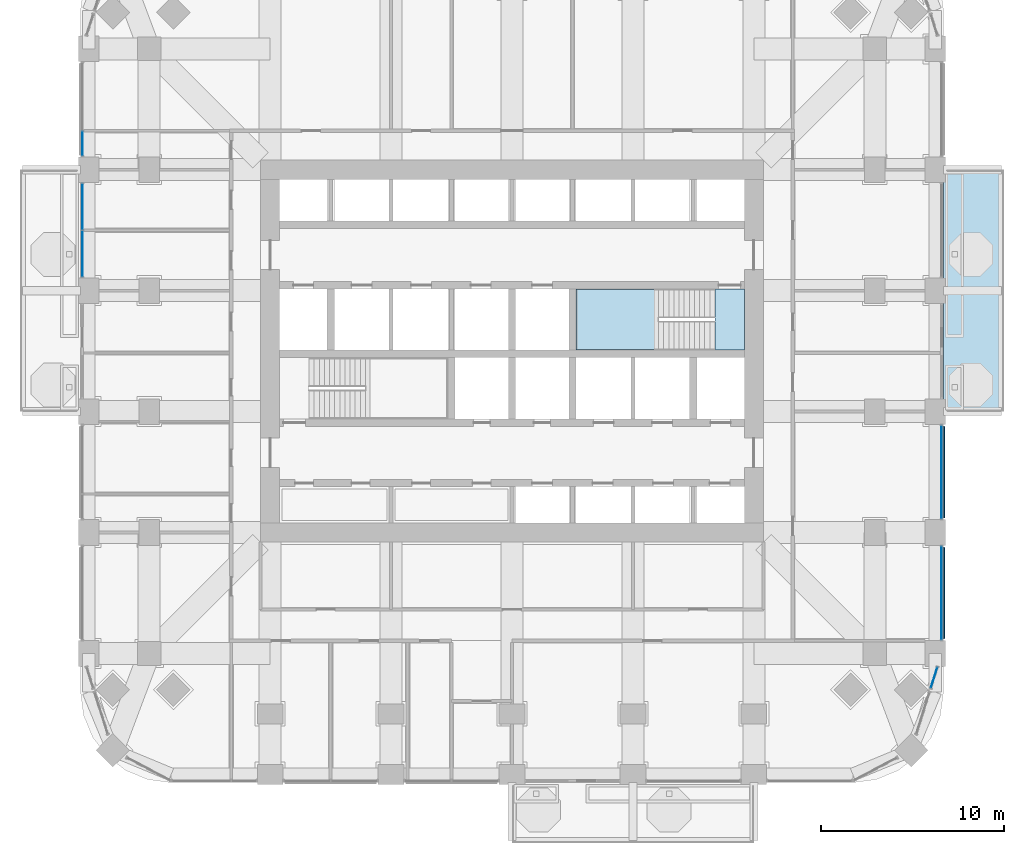
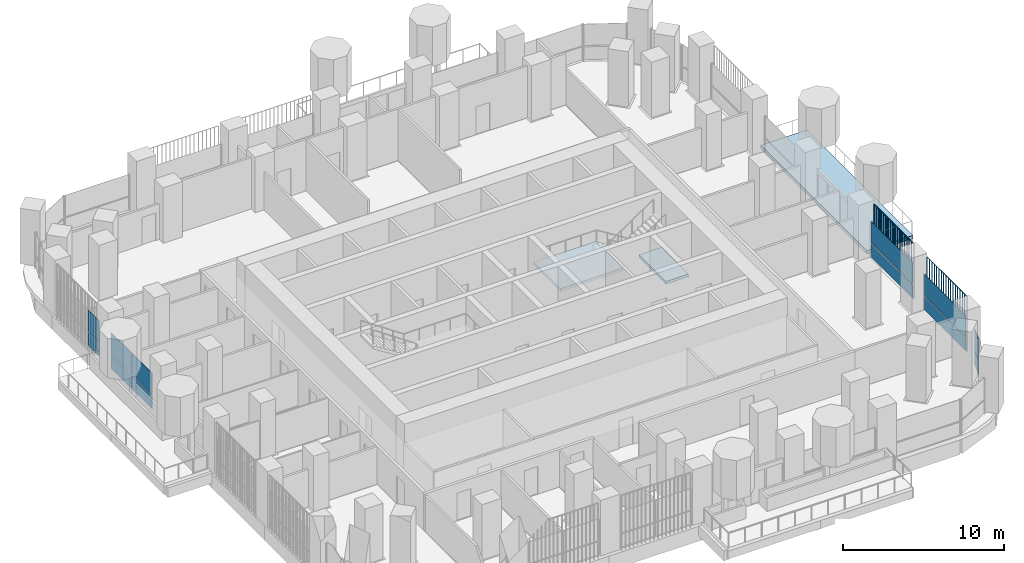
# One storey, part 11 of 22: 14 plates, 3 slabs, 6 elements without a shape of their own.
"""IFC4 building model written with IfcOpenShell, lengths in metres."""

from ifc_helpers import new_model, si_unit, direction, frame, origin, origin_2d, place, context, subcontext, project, spatial, polyline, rectangle, outline, extrude, material, layer, layer_set, type_object, element, aggregate, save


model = new_model("IFC4")

# Units and contexts
model_context = context("Model", 3, precision=1e-05, world=origin(), true_north=direction((0.0, 1.0)))
body_context = subcontext(model_context, "Body", "Model", "MODEL_VIEW")
ifc_project = project(units=[si_unit("LENGTHUNIT", "METRE"), si_unit("AREAUNIT", "SQUARE_METRE"), si_unit("VOLUMEUNIT", "CUBIC_METRE"), si_unit("PLANEANGLEUNIT", "RADIAN"), si_unit("MASSUNIT", "GRAM", prefix="KILO")], contexts=[model_context])

# Site, building, storey
site_placement = place(None, origin())
site = spatial("IfcSite", under=ifc_project, at=site_placement, CompositionType="ELEMENT")
building_placement = place(site_placement, origin())
building = spatial("IfcBuilding", under=site, at=building_placement, Name="Cobogo Forest Laboratory Tower", CompositionType="ELEMENT")
storey_placement = place(building_placement, frame((0.0, 0.0, 111.60009765625)))
storey = spatial("IfcBuildingStorey", under=building, at=storey_placement, Name="L25", CompositionType="ELEMENT", Elevation=111.60009765625)

# Slab
ifc_material_1 = material(Name="Concrete HA-40 (C40/50)", Category="concrete")
ifc_layer_1 = layer(ifc_material_1, 0.25)
ifc_layer_set_1 = layer_set([ifc_layer_1], Name="Balcony slab 250")
slab_type_1 = type_object("IfcSlabType", Name="Balcony slab 250", PredefinedType="FLOOR", material=ifc_layer_set_1)
slab_1_placement = place(storey_placement, frame((0.0, 0.0, -0.25)))
element("IfcSlab", 1, at=slab_1_placement, inside=storey, type_object=slab_type_1, Name="Balcony BAL-E1 L25", PredefinedType="FLOOR", context=body_context, shape_type="SweptSolid", body=[
    extrude(outline(polyline([(49.949951171875, 19.800048828125), (53.25, 19.800048828125), (53.25, 33.0), (49.949951171875, 33.0), (49.949951171875, 19.800048828125)])), origin(), (0.0, 0.0, 1.0), 0.25),
])

# Curtain wall, plates
ifc_material_2 = material(Name="Aluminium curtain wall", Category="aluminium")
curtain_wall_type = type_object("IfcCurtainWallType", Name="CW-1 unitised curtain wall, clear glazing, laboratory floors zones A and B", PredefinedType="USERDEFINED", material=ifc_material_2)
curtain_wall_1_placement = place(storey_placement, origin())
curtain_wall_1 = element("IfcCurtainWall", 2, at=curtain_wall_1_placement, inside=storey, type_object=curtain_wall_type, Name="Curtain wall 09 L25", ObjectType="UNITISED CURTAIN WALL", PredefinedType="USERDEFINED")
ifc_material_3 = material(Name="Clear insulated glass", Category="glass")
ifc_layer_2 = layer(ifc_material_3, 0.028076171875)
ifc_layer_set_2 = layer_set([ifc_layer_2], Name="GP-1 clear insulated glass unit 28")
plate_type_1 = type_object("IfcPlateType", Name="GP-1 clear insulated glass unit 28", PredefinedType="CURTAIN_PANEL", material=ifc_layer_set_2)
plate_1_placement = place(storey_placement, frame((49.433837890625, 5.2822265625, 0.0), z_axis=(0.0, 0.0, 1.0), x_axis=(0.301135356805, 0.953581405483, 0.0)))
plate_1 = element("IfcPlate", 3, at=plate_1_placement, type_object=plate_type_1, Name="CW-1 panel 1.1", PredefinedType="CURTAIN_PANEL", context=body_context, shape_type="SweptSolid", body=[
    extrude(rectangle(XDim=1.17578125, YDim=0.028076171875, at=origin_2d()), origin(), (0.0, 0.0, 1.0), 1.02001953125),
])
plate_2_placement = place(storey_placement, frame((49.433837890625, 5.2822265625, 1.079833984375), z_axis=(0.0, 0.0, 1.0), x_axis=(0.301135356805, 0.953581405483, 0.0)))
plate_2 = element("IfcPlate", 4, at=plate_2_placement, type_object=plate_type_1, Name="CW-1 panel 1.2", PredefinedType="CURTAIN_PANEL", context=body_context, shape_type="SweptSolid", body=[
    extrude(rectangle(XDim=1.17578125, YDim=0.028076171875, at=origin_2d()), origin(), (0.0, 0.0, 1.0), 1.6201171875),
])
aggregate(curtain_wall_1, [plate_1, plate_2])

curtain_wall_2_placement = place(storey_placement, origin())
curtain_wall_2 = element("IfcCurtainWall", 5, at=curtain_wall_2_placement, inside=storey, type_object=curtain_wall_type, Name="Curtain wall 10 L25", ObjectType="UNITISED CURTAIN WALL", PredefinedType="USERDEFINED")
plate_3_placement = place(storey_placement, frame((49.85009765625, 9.89990234375, 0.0), z_axis=(0.0, 0.0, 1.0), x_axis=(0.0, 1.0, 0.0)))
plate_3 = element("IfcPlate", 6, at=plate_3_placement, type_object=plate_type_1, Name="CW-1 panel 1.1", PredefinedType="CURTAIN_PANEL", context=body_context, shape_type="SweptSolid", body=[
    extrude(rectangle(XDim=5.080078125, YDim=0.028076171875, at=origin_2d()), origin(), (0.0, 0.0, 1.0), 1.02001953125),
])
plate_4_placement = place(storey_placement, frame((49.85009765625, 9.89990234375, 1.079833984375), z_axis=(0.0, 0.0, 1.0), x_axis=(0.0, 1.0, 0.0)))
plate_4 = element("IfcPlate", 7, at=plate_4_placement, type_object=plate_type_1, Name="CW-1 panel 1.2", PredefinedType="CURTAIN_PANEL", context=body_context, shape_type="SweptSolid", body=[
    extrude(rectangle(XDim=5.080078125, YDim=0.028076171875, at=origin_2d()), origin(), (0.0, 0.0, 1.0), 1.6201171875),
])
aggregate(curtain_wall_2, [plate_3, plate_4])

curtain_wall_3_placement = place(storey_placement, origin())
curtain_wall_3 = element("IfcCurtainWall", 8, at=curtain_wall_3_placement, inside=storey, type_object=curtain_wall_type, Name="Curtain wall 11 L25", ObjectType="UNITISED CURTAIN WALL", PredefinedType="USERDEFINED")
plate_5_placement = place(storey_placement, frame((49.85009765625, 16.5, 0.0), z_axis=(0.0, 0.0, 1.0), x_axis=(0.0, 1.0, 0.0)))
plate_5 = element("IfcPlate", 9, at=plate_5_placement, type_object=plate_type_1, Name="CW-1 panel 1.1", PredefinedType="CURTAIN_PANEL", context=body_context, shape_type="SweptSolid", body=[
    extrude(rectangle(XDim=5.080078125, YDim=0.028076171875, at=origin_2d()), origin(), (0.0, 0.0, 1.0), 1.02001953125),
])
plate_6_placement = place(storey_placement, frame((49.85009765625, 16.5, 1.079833984375), z_axis=(0.0, 0.0, 1.0), x_axis=(0.0, 1.0, 0.0)))
plate_6 = element("IfcPlate", 10, at=plate_6_placement, type_object=plate_type_1, Name="CW-1 panel 1.2", PredefinedType="CURTAIN_PANEL", context=body_context, shape_type="SweptSolid", body=[
    extrude(rectangle(XDim=5.080078125, YDim=0.028076171875, at=origin_2d()), origin(), (0.0, 0.0, 1.0), 1.6201171875),
])
aggregate(curtain_wall_3, [plate_5, plate_6])

curtain_wall_4_placement = place(storey_placement, origin())
curtain_wall_4 = element("IfcCurtainWall", 11, at=curtain_wall_4_placement, inside=storey, type_object=curtain_wall_type, Name="Curtain wall 27 L25", ObjectType="UNITISED CURTAIN WALL", PredefinedType="USERDEFINED")
plate_7_placement = place(storey_placement, frame((2.949951171875, 34.427490234375, 0.0), z_axis=(0.0, 0.0, 1.0), x_axis=(0.0, -1.0, 0.0)))
plate_7 = element("IfcPlate", 12, at=plate_7_placement, type_object=plate_type_1, Name="CW-1 panel 2.1", PredefinedType="CURTAIN_PANEL", context=body_context, shape_type="SweptSolid", body=[
    extrude(rectangle(XDim=1.3349609375, YDim=0.028076171875, at=origin_2d()), origin(), (0.0, 0.0, 1.0), 1.02001953125),
])
plate_8_placement = place(storey_placement, frame((2.949951171875, 34.427490234375, 1.079833984375), z_axis=(0.0, 0.0, 1.0), x_axis=(0.0, -1.0, 0.0)))
plate_8 = element("IfcPlate", 13, at=plate_8_placement, type_object=plate_type_1, Name="CW-1 panel 2.2", PredefinedType="CURTAIN_PANEL", context=body_context, shape_type="SweptSolid", body=[
    extrude(rectangle(XDim=1.3349609375, YDim=0.028076171875, at=origin_2d()), origin(), (0.0, 0.0, 1.0), 1.6201171875),
])
aggregate(curtain_wall_4, [plate_7, plate_8])

curtain_wall_5_placement = place(storey_placement, origin())
curtain_wall_5 = element("IfcCurtainWall", 14, at=curtain_wall_5_placement, inside=storey, type_object=curtain_wall_type, Name="Curtain wall 28 L25", ObjectType="UNITISED CURTAIN WALL", PredefinedType="USERDEFINED")
plate_9_placement = place(storey_placement, frame((2.949951171875, 30.985107421875, 0.0), z_axis=(0.0, 0.0, 1.0), x_axis=(0.0, -1.0, 0.0)))
plate_9 = element("IfcPlate", 15, at=plate_9_placement, type_object=plate_type_1, Name="CW-1 panel 1.1", PredefinedType="CURTAIN_PANEL", context=body_context, shape_type="SweptSolid", body=[
    extrude(rectangle(XDim=2.510009765625, YDim=0.028076171875, at=origin_2d()), origin(), (0.0, 0.0, 1.0), 1.02001953125),
])
plate_10_placement = place(storey_placement, frame((2.949951171875, 30.985107421875, 1.079833984375), z_axis=(0.0, 0.0, 1.0), x_axis=(0.0, -1.0, 0.0)))
plate_10 = element("IfcPlate", 16, at=plate_10_placement, type_object=plate_type_1, Name="CW-1 panel 1.2", PredefinedType="CURTAIN_PANEL", context=body_context, shape_type="SweptSolid", body=[
    extrude(rectangle(XDim=2.510009765625, YDim=0.028076171875, at=origin_2d()), origin(), (0.0, 0.0, 1.0), 1.6201171875),
])
plate_11_placement = place(storey_placement, frame((2.949951171875, 28.4150390625, 0.0), z_axis=(0.0, 0.0, 1.0), x_axis=(0.0, -1.0, 0.0)))
plate_11 = element("IfcPlate", 17, at=plate_11_placement, type_object=plate_type_1, Name="CW-1 panel 2.1", PredefinedType="CURTAIN_PANEL", context=body_context, shape_type="SweptSolid", body=[
    extrude(rectangle(XDim=2.510009765625, YDim=0.028076171875, at=origin_2d()), origin(), (0.0, 0.0, 1.0), 1.02001953125),
])
plate_12_placement = place(storey_placement, frame((2.949951171875, 28.4150390625, 1.079833984375), z_axis=(0.0, 0.0, 1.0), x_axis=(0.0, -1.0, 0.0)))
plate_12 = element("IfcPlate", 18, at=plate_12_placement, type_object=plate_type_1, Name="CW-1 panel 2.2", PredefinedType="CURTAIN_PANEL", context=body_context, shape_type="SweptSolid", body=[
    extrude(rectangle(XDim=2.510009765625, YDim=0.028076171875, at=origin_2d()), origin(), (0.0, 0.0, 1.0), 1.6201171875),
])
aggregate(curtain_wall_5, [plate_9, plate_10, plate_11, plate_12])

# Stair, slabs
ifc_material_4 = material(Name="Precast concrete HA-40 (C40/50)", Category="concrete")
stair_type = type_object("IfcStairType", Name="ST24 exit stair 24 risers", PredefinedType="HALF_TURN_STAIR", material=ifc_material_4)
stair_placement = place(storey_placement, origin())
stair = element("IfcStair", 19, at=stair_placement, inside=storey, type_object=stair_type, Name="Stair 2 L25 to L26", PredefinedType="HALF_TURN_STAIR")
ifc_layer_3 = layer(ifc_material_1, 0.199951171875)
ifc_layer_set_3 = layer_set([ifc_layer_3], Name="SL stair landing 200")
slab_type_2 = type_object("IfcSlabType", Name="SL stair landing 200", PredefinedType="LANDING", material=ifc_layer_set_3)
slab_2_placement = place(storey_placement, frame((0.0, 0.0, -0.2001953125)))
slab_2 = element("IfcSlab", 20, at=slab_2_placement, type_object=slab_type_2, Name="ST2 landing 1", PredefinedType="LANDING", context=body_context, shape_type="SweptSolid", body=[
    extrude(outline(polyline([(37.472900390625, 23.14990234375), (39.074951171875, 23.14990234375), (39.074951171875, 26.5), (37.472900390625, 26.5), (37.472900390625, 23.14990234375)])), origin(), (0.0, 0.0, 1.0), 0.2001953125),
])
slab_3_placement = place(storey_placement, frame((0.0, 0.0, 1.89990234375)))
slab_3 = element("IfcSlab", 21, at=slab_3_placement, type_object=slab_type_2, Name="ST2 landing 2", PredefinedType="LANDING", context=body_context, shape_type="SweptSolid", body=[
    extrude(outline(polyline([(29.89990234375, 23.14990234375), (34.39697265625, 23.14990234375), (34.39697265625, 26.5), (29.89990234375, 26.5), (29.89990234375, 23.14990234375)])), origin(), (0.0, 0.0, 1.0), 0.199951171875),
])
aggregate(stair, [slab_2, slab_3])

# Plates
ifc_material_5 = material(Name="Terracotta", Category="masonry")
plate_type_2 = type_object("IfcPlateType", Name="TB1 terracotta baguette screen", PredefinedType="USERDEFINED", material=ifc_material_5)
plate_13_placement = place(storey_placement, frame((49.977783203125, 7.43115234375, -0.150146484375)))
element("IfcPlate", 22, at=plate_13_placement, inside=storey, type_object=plate_type_2, Name="Baguette screen E1 L25", ObjectType="BAGUETTE SCREEN", PredefinedType="USERDEFINED", context=body_context, shape_type="SweptSolid", body=[
    extrude(outline(polyline([(0.02880859375, 0.011962890625), (0.011962890625, 0.02880859375), (-0.011962890625, 0.02880859375), (-0.02880859375, 0.011962890625), (-0.02880859375, -0.011962890625), (-0.011962890625, -0.02880859375), (0.011962890625, -0.02880859375), (0.02880859375, -0.011962890625), (0.02880859375, 0.011962890625)])), frame((0.0, 0.0, 4.168701171875), z_axis=(0.0, 1.0, 0.0), x_axis=(-1.0, 0.0, 0.0)), (0.0, 0.0, 1.0), 4.9375),
    extrude(outline(polyline([(0.02880859375, 0.011962890625), (0.011962890625, 0.02880859375), (-0.011962890625, 0.02880859375), (-0.02880859375, 0.011962890625), (-0.02880859375, -0.011962890625), (-0.011962890625, -0.02880859375), (0.011962890625, -0.02880859375), (0.02880859375, -0.011962890625), (0.02880859375, 0.011962890625)])), origin(), (0.0, 0.0, 1.0), 4.137451171875),
    extrude(outline(polyline([(0.02880859375, 0.011962890625), (0.011962890625, 0.02880859375), (-0.011962890625, 0.02880859375), (-0.02880859375, 0.011962890625), (-0.02880859375, -0.011962890625), (-0.011962890625, -0.02880859375), (0.011962890625, -0.02880859375), (0.02880859375, -0.011962890625), (0.02880859375, 0.011962890625)])), frame((0.0, 0.29052734375, 0.0)), (0.0, 0.0, 1.0), 4.137451171875),
    extrude(outline(polyline([(0.02880859375, 0.011962890625), (0.011962890625, 0.02880859375), (-0.011962890625, 0.02880859375), (-0.02880859375, 0.011962890625), (-0.02880859375, -0.011962890625), (-0.011962890625, -0.02880859375), (0.011962890625, -0.02880859375), (0.02880859375, -0.011962890625), (0.02880859375, 0.011962890625)])), frame((0.0, 0.580810546875, 0.0)), (0.0, 0.0, 1.0), 4.137451171875),
    extrude(outline(polyline([(0.02880859375, 0.011962890625), (0.011962890625, 0.02880859375), (-0.011962890625, 0.02880859375), (-0.02880859375, 0.011962890625), (-0.02880859375, -0.011962890625), (-0.011962890625, -0.02880859375), (0.011962890625, -0.02880859375), (0.02880859375, -0.011962890625), (0.02880859375, 0.011962890625)])), frame((0.0, 0.871337890625, 0.0)), (0.0, 0.0, 1.0), 4.137451171875),
    extrude(outline(polyline([(0.02880859375, 0.011962890625), (0.011962890625, 0.02880859375), (-0.011962890625, 0.02880859375), (-0.02880859375, 0.011962890625), (-0.02880859375, -0.011962890625), (-0.011962890625, -0.02880859375), (0.011962890625, -0.02880859375), (0.02880859375, -0.011962890625), (0.02880859375, 0.011962890625)])), frame((0.0, 1.161865234375, 0.0)), (0.0, 0.0, 1.0), 4.137451171875),
    extrude(outline(polyline([(0.02880859375, 0.011962890625), (0.011962890625, 0.02880859375), (-0.011962890625, 0.02880859375), (-0.02880859375, 0.011962890625), (-0.02880859375, -0.011962890625), (-0.011962890625, -0.02880859375), (0.011962890625, -0.02880859375), (0.02880859375, -0.011962890625), (0.02880859375, 0.011962890625)])), frame((0.0, 1.4521484375, 0.0)), (0.0, 0.0, 1.0), 4.137451171875),
    extrude(outline(polyline([(0.02880859375, 0.011962890625), (0.011962890625, 0.02880859375), (-0.011962890625, 0.02880859375), (-0.02880859375, 0.011962890625), (-0.02880859375, -0.011962890625), (-0.011962890625, -0.02880859375), (0.011962890625, -0.02880859375), (0.02880859375, -0.011962890625), (0.02880859375, 0.011962890625)])), frame((0.0, 1.74267578125, 0.0)), (0.0, 0.0, 1.0), 4.137451171875),
    extrude(outline(polyline([(0.02880859375, 0.011962890625), (0.011962890625, 0.02880859375), (-0.011962890625, 0.02880859375), (-0.02880859375, 0.011962890625), (-0.02880859375, -0.011962890625), (-0.011962890625, -0.02880859375), (0.011962890625, -0.02880859375), (0.02880859375, -0.011962890625), (0.02880859375, 0.011962890625)])), frame((0.0, 2.033203125, 0.0)), (0.0, 0.0, 1.0), 4.137451171875),
    extrude(outline(polyline([(0.02880859375, 0.011962890625), (0.011962890625, 0.02880859375), (-0.011962890625, 0.02880859375), (-0.02880859375, 0.011962890625), (-0.02880859375, -0.011962890625), (-0.011962890625, -0.02880859375), (0.011962890625, -0.02880859375), (0.02880859375, -0.011962890625), (0.02880859375, 0.011962890625)])), frame((0.0, 2.323486328125, 0.0)), (0.0, 0.0, 1.0), 4.137451171875),
    extrude(outline(polyline([(0.02880859375, 0.011962890625), (0.011962890625, 0.02880859375), (-0.011962890625, 0.02880859375), (-0.02880859375, 0.011962890625), (-0.02880859375, -0.011962890625), (-0.011962890625, -0.02880859375), (0.011962890625, -0.02880859375), (0.02880859375, -0.011962890625), (0.02880859375, 0.011962890625)])), frame((0.0, 2.614013671875, 0.0)), (0.0, 0.0, 1.0), 4.137451171875),
    extrude(outline(polyline([(0.02880859375, 0.011962890625), (0.011962890625, 0.02880859375), (-0.011962890625, 0.02880859375), (-0.02880859375, 0.011962890625), (-0.02880859375, -0.011962890625), (-0.011962890625, -0.02880859375), (0.011962890625, -0.02880859375), (0.02880859375, -0.011962890625), (0.02880859375, 0.011962890625)])), frame((0.0, 2.904296875, 0.0)), (0.0, 0.0, 1.0), 4.137451171875),
    extrude(outline(polyline([(0.02880859375, 0.011962890625), (0.011962890625, 0.02880859375), (-0.011962890625, 0.02880859375), (-0.02880859375, 0.011962890625), (-0.02880859375, -0.011962890625), (-0.011962890625, -0.02880859375), (0.011962890625, -0.02880859375), (0.02880859375, -0.011962890625), (0.02880859375, 0.011962890625)])), frame((0.0, 3.19482421875, 0.0)), (0.0, 0.0, 1.0), 4.137451171875),
    extrude(outline(polyline([(0.02880859375, 0.011962890625), (0.011962890625, 0.02880859375), (-0.011962890625, 0.02880859375), (-0.02880859375, 0.011962890625), (-0.02880859375, -0.011962890625), (-0.011962890625, -0.02880859375), (0.011962890625, -0.02880859375), (0.02880859375, -0.011962890625), (0.02880859375, 0.011962890625)])), frame((0.0, 3.4853515625, 0.0)), (0.0, 0.0, 1.0), 4.137451171875),
    extrude(outline(polyline([(0.02880859375, 0.011962890625), (0.011962890625, 0.02880859375), (-0.011962890625, 0.02880859375), (-0.02880859375, 0.011962890625), (-0.02880859375, -0.011962890625), (-0.011962890625, -0.02880859375), (0.011962890625, -0.02880859375), (0.02880859375, -0.011962890625), (0.02880859375, 0.011962890625)])), frame((0.0, 3.775634765625, 0.0)), (0.0, 0.0, 1.0), 4.137451171875),
    extrude(outline(polyline([(0.02880859375, 0.011962890625), (0.011962890625, 0.02880859375), (-0.011962890625, 0.02880859375), (-0.02880859375, 0.011962890625), (-0.02880859375, -0.011962890625), (-0.011962890625, -0.02880859375), (0.011962890625, -0.02880859375), (0.02880859375, -0.011962890625), (0.02880859375, 0.011962890625)])), frame((0.0, 4.066162109375, 0.0)), (0.0, 0.0, 1.0), 4.137451171875),
    extrude(outline(polyline([(0.02880859375, 0.011962890625), (0.011962890625, 0.02880859375), (-0.011962890625, 0.02880859375), (-0.02880859375, 0.011962890625), (-0.02880859375, -0.011962890625), (-0.011962890625, -0.02880859375), (0.011962890625, -0.02880859375), (0.02880859375, -0.011962890625), (0.02880859375, 0.011962890625)])), frame((0.0, 4.356689453125, 0.0)), (0.0, 0.0, 1.0), 4.137451171875),
    extrude(outline(polyline([(0.02880859375, 0.011962890625), (0.011962890625, 0.02880859375), (-0.011962890625, 0.02880859375), (-0.02880859375, 0.011962890625), (-0.02880859375, -0.011962890625), (-0.011962890625, -0.02880859375), (0.011962890625, -0.02880859375), (0.02880859375, -0.011962890625), (0.02880859375, 0.011962890625)])), frame((0.0, 4.64697265625, 0.0)), (0.0, 0.0, 1.0), 4.137451171875),
    extrude(outline(polyline([(0.02880859375, 0.011962890625), (0.011962890625, 0.02880859375), (-0.011962890625, 0.02880859375), (-0.02880859375, 0.011962890625), (-0.02880859375, -0.011962890625), (-0.011962890625, -0.02880859375), (0.011962890625, -0.02880859375), (0.02880859375, -0.011962890625), (0.02880859375, 0.011962890625)])), frame((0.0, 4.9375, 0.0)), (0.0, 0.0, 1.0), 4.137451171875),
])
plate_14_placement = place(storey_placement, frame((49.977783203125, 14.03125, -0.150146484375)))
element("IfcPlate", 23, at=plate_14_placement, inside=storey, type_object=plate_type_2, Name="Baguette screen E2 L25", ObjectType="BAGUETTE SCREEN", PredefinedType="USERDEFINED", context=body_context, shape_type="SweptSolid", body=[
    extrude(outline(polyline([(0.02880859375, 0.011962890625), (0.011962890625, 0.02880859375), (-0.011962890625, 0.02880859375), (-0.02880859375, 0.011962890625), (-0.02880859375, -0.011962890625), (-0.011962890625, -0.02880859375), (0.011962890625, -0.02880859375), (0.02880859375, -0.011962890625), (0.02880859375, 0.011962890625)])), frame((0.0, 0.0, 4.168701171875), z_axis=(0.0, 1.0, 0.0), x_axis=(-1.0, 0.0, 0.0)), (0.0, 0.0, 1.0), 4.9375),
    extrude(outline(polyline([(0.02880859375, 0.011962890625), (0.011962890625, 0.02880859375), (-0.011962890625, 0.02880859375), (-0.02880859375, 0.011962890625), (-0.02880859375, -0.011962890625), (-0.011962890625, -0.02880859375), (0.011962890625, -0.02880859375), (0.02880859375, -0.011962890625), (0.02880859375, 0.011962890625)])), origin(), (0.0, 0.0, 1.0), 4.137451171875),
    extrude(outline(polyline([(0.02880859375, 0.011962890625), (0.011962890625, 0.02880859375), (-0.011962890625, 0.02880859375), (-0.02880859375, 0.011962890625), (-0.02880859375, -0.011962890625), (-0.011962890625, -0.02880859375), (0.011962890625, -0.02880859375), (0.02880859375, -0.011962890625), (0.02880859375, 0.011962890625)])), frame((0.0, 0.29052734375, 0.0)), (0.0, 0.0, 1.0), 4.137451171875),
    extrude(outline(polyline([(0.02880859375, 0.011962890625), (0.011962890625, 0.02880859375), (-0.011962890625, 0.02880859375), (-0.02880859375, 0.011962890625), (-0.02880859375, -0.011962890625), (-0.011962890625, -0.02880859375), (0.011962890625, -0.02880859375), (0.02880859375, -0.011962890625), (0.02880859375, 0.011962890625)])), frame((0.0, 0.580810546875, 0.0)), (0.0, 0.0, 1.0), 4.137451171875),
    extrude(outline(polyline([(0.02880859375, 0.011962890625), (0.011962890625, 0.02880859375), (-0.011962890625, 0.02880859375), (-0.02880859375, 0.011962890625), (-0.02880859375, -0.011962890625), (-0.011962890625, -0.02880859375), (0.011962890625, -0.02880859375), (0.02880859375, -0.011962890625), (0.02880859375, 0.011962890625)])), frame((0.0, 0.871337890625, 0.0)), (0.0, 0.0, 1.0), 4.137451171875),
    extrude(outline(polyline([(0.02880859375, 0.011962890625), (0.011962890625, 0.02880859375), (-0.011962890625, 0.02880859375), (-0.02880859375, 0.011962890625), (-0.02880859375, -0.011962890625), (-0.011962890625, -0.02880859375), (0.011962890625, -0.02880859375), (0.02880859375, -0.011962890625), (0.02880859375, 0.011962890625)])), frame((0.0, 1.161865234375, 0.0)), (0.0, 0.0, 1.0), 4.137451171875),
    extrude(outline(polyline([(0.02880859375, 0.011962890625), (0.011962890625, 0.02880859375), (-0.011962890625, 0.02880859375), (-0.02880859375, 0.011962890625), (-0.02880859375, -0.011962890625), (-0.011962890625, -0.02880859375), (0.011962890625, -0.02880859375), (0.02880859375, -0.011962890625), (0.02880859375, 0.011962890625)])), frame((0.0, 1.4521484375, 0.0)), (0.0, 0.0, 1.0), 4.137451171875),
    extrude(outline(polyline([(0.02880859375, 0.011962890625), (0.011962890625, 0.02880859375), (-0.011962890625, 0.02880859375), (-0.02880859375, 0.011962890625), (-0.02880859375, -0.011962890625), (-0.011962890625, -0.02880859375), (0.011962890625, -0.02880859375), (0.02880859375, -0.011962890625), (0.02880859375, 0.011962890625)])), frame((0.0, 1.74267578125, 0.0)), (0.0, 0.0, 1.0), 4.137451171875),
    extrude(outline(polyline([(0.02880859375, 0.011962890625), (0.011962890625, 0.02880859375), (-0.011962890625, 0.02880859375), (-0.02880859375, 0.011962890625), (-0.02880859375, -0.011962890625), (-0.011962890625, -0.02880859375), (0.011962890625, -0.02880859375), (0.02880859375, -0.011962890625), (0.02880859375, 0.011962890625)])), frame((0.0, 2.033203125, 0.0)), (0.0, 0.0, 1.0), 4.137451171875),
    extrude(outline(polyline([(0.02880859375, 0.011962890625), (0.011962890625, 0.02880859375), (-0.011962890625, 0.02880859375), (-0.02880859375, 0.011962890625), (-0.02880859375, -0.011962890625), (-0.011962890625, -0.02880859375), (0.011962890625, -0.02880859375), (0.02880859375, -0.011962890625), (0.02880859375, 0.011962890625)])), frame((0.0, 2.323486328125, 0.0)), (0.0, 0.0, 1.0), 4.137451171875),
    extrude(outline(polyline([(0.02880859375, 0.011962890625), (0.011962890625, 0.02880859375), (-0.011962890625, 0.02880859375), (-0.02880859375, 0.011962890625), (-0.02880859375, -0.011962890625), (-0.011962890625, -0.02880859375), (0.011962890625, -0.02880859375), (0.02880859375, -0.011962890625), (0.02880859375, 0.011962890625)])), frame((0.0, 2.614013671875, 0.0)), (0.0, 0.0, 1.0), 4.137451171875),
    extrude(outline(polyline([(0.02880859375, 0.011962890625), (0.011962890625, 0.02880859375), (-0.011962890625, 0.02880859375), (-0.02880859375, 0.011962890625), (-0.02880859375, -0.011962890625), (-0.011962890625, -0.02880859375), (0.011962890625, -0.02880859375), (0.02880859375, -0.011962890625), (0.02880859375, 0.011962890625)])), frame((0.0, 2.904296875, 0.0)), (0.0, 0.0, 1.0), 4.137451171875),
    extrude(outline(polyline([(0.02880859375, 0.011962890625), (0.011962890625, 0.02880859375), (-0.011962890625, 0.02880859375), (-0.02880859375, 0.011962890625), (-0.02880859375, -0.011962890625), (-0.011962890625, -0.02880859375), (0.011962890625, -0.02880859375), (0.02880859375, -0.011962890625), (0.02880859375, 0.011962890625)])), frame((0.0, 3.19482421875, 0.0)), (0.0, 0.0, 1.0), 4.137451171875),
    extrude(outline(polyline([(0.02880859375, 0.011962890625), (0.011962890625, 0.02880859375), (-0.011962890625, 0.02880859375), (-0.02880859375, 0.011962890625), (-0.02880859375, -0.011962890625), (-0.011962890625, -0.02880859375), (0.011962890625, -0.02880859375), (0.02880859375, -0.011962890625), (0.02880859375, 0.011962890625)])), frame((0.0, 3.4853515625, 0.0)), (0.0, 0.0, 1.0), 4.137451171875),
    extrude(outline(polyline([(0.02880859375, 0.011962890625), (0.011962890625, 0.02880859375), (-0.011962890625, 0.02880859375), (-0.02880859375, 0.011962890625), (-0.02880859375, -0.011962890625), (-0.011962890625, -0.02880859375), (0.011962890625, -0.02880859375), (0.02880859375, -0.011962890625), (0.02880859375, 0.011962890625)])), frame((0.0, 3.775634765625, 0.0)), (0.0, 0.0, 1.0), 4.137451171875),
    extrude(outline(polyline([(0.02880859375, 0.011962890625), (0.011962890625, 0.02880859375), (-0.011962890625, 0.02880859375), (-0.02880859375, 0.011962890625), (-0.02880859375, -0.011962890625), (-0.011962890625, -0.02880859375), (0.011962890625, -0.02880859375), (0.02880859375, -0.011962890625), (0.02880859375, 0.011962890625)])), frame((0.0, 4.066162109375, 0.0)), (0.0, 0.0, 1.0), 4.137451171875),
    extrude(outline(polyline([(0.02880859375, 0.011962890625), (0.011962890625, 0.02880859375), (-0.011962890625, 0.02880859375), (-0.02880859375, 0.011962890625), (-0.02880859375, -0.011962890625), (-0.011962890625, -0.02880859375), (0.011962890625, -0.02880859375), (0.02880859375, -0.011962890625), (0.02880859375, 0.011962890625)])), frame((0.0, 4.356689453125, 0.0)), (0.0, 0.0, 1.0), 4.137451171875),
    extrude(outline(polyline([(0.02880859375, 0.011962890625), (0.011962890625, 0.02880859375), (-0.011962890625, 0.02880859375), (-0.02880859375, 0.011962890625), (-0.02880859375, -0.011962890625), (-0.011962890625, -0.02880859375), (0.011962890625, -0.02880859375), (0.02880859375, -0.011962890625), (0.02880859375, 0.011962890625)])), frame((0.0, 4.64697265625, 0.0)), (0.0, 0.0, 1.0), 4.137451171875),
    extrude(outline(polyline([(0.02880859375, 0.011962890625), (0.011962890625, 0.02880859375), (-0.011962890625, 0.02880859375), (-0.02880859375, 0.011962890625), (-0.02880859375, -0.011962890625), (-0.011962890625, -0.02880859375), (0.011962890625, -0.02880859375), (0.02880859375, -0.011962890625), (0.02880859375, 0.011962890625)])), frame((0.0, 4.9375, 0.0)), (0.0, 0.0, 1.0), 4.137451171875),
])

save(model, "model.ifc")
